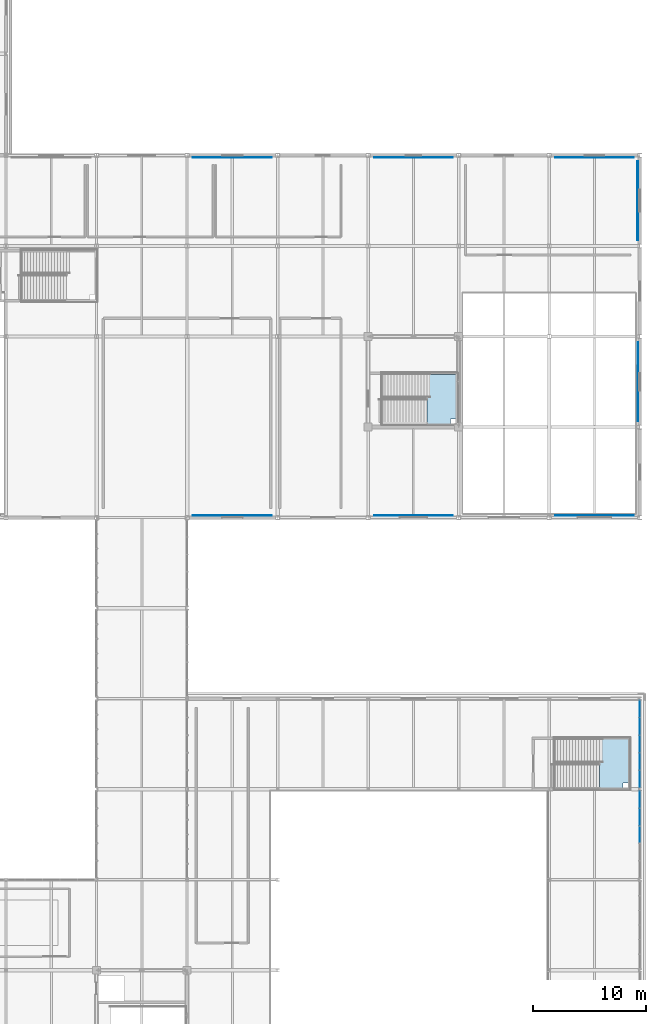
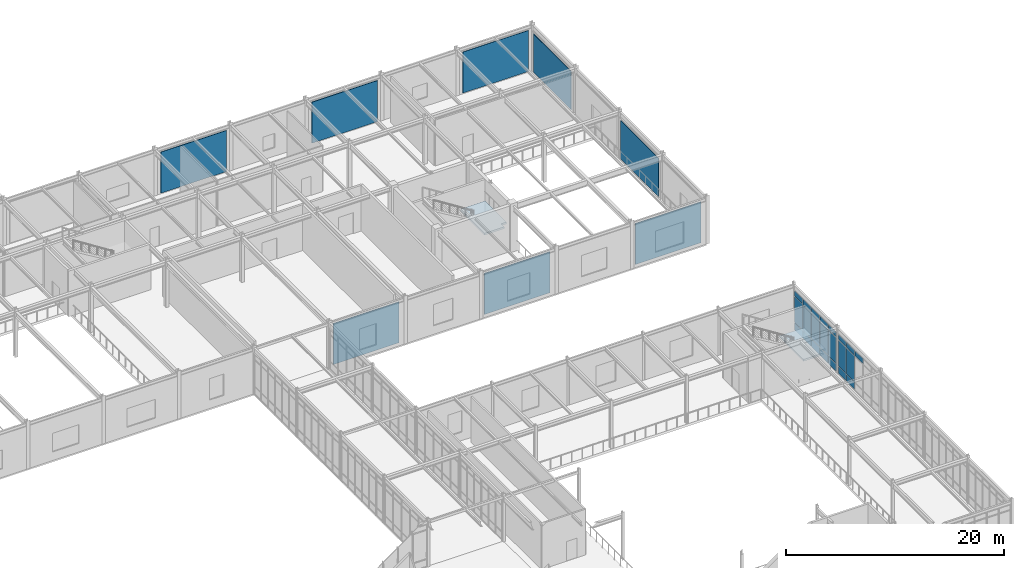
# One storey, part 102 of 184: 30 plates, 2 slabs, 4 elements without a shape of their own.
"""IFC4 building model written with IfcOpenShell, lengths in metres."""

from ifc_helpers import new_model, si_unit, direction, frame, origin, origin_2d, place, context, subcontext, project, spatial, polyline, rectangle, outline, extrude, material, layer, layer_set, type_object, element, aggregate, save


model = new_model("IFC4")

# Units and contexts
model_context = context("Model", 3, precision=1e-05, world=origin(), true_north=direction((0.0, 1.0)))
body_context = subcontext(model_context, "Body", "Model", "MODEL_VIEW")
ifc_project = project(units=[si_unit("LENGTHUNIT", "METRE"), si_unit("AREAUNIT", "SQUARE_METRE"), si_unit("VOLUMEUNIT", "CUBIC_METRE"), si_unit("PLANEANGLEUNIT", "RADIAN"), si_unit("MASSUNIT", "GRAM", prefix="KILO")], contexts=[model_context])

# Site, building, storey
site_placement = place(None, origin())
site = spatial("IfcSite", under=ifc_project, at=site_placement, CompositionType="ELEMENT")
building_placement = place(site_placement, origin())
building = spatial("IfcBuilding", under=site, at=building_placement, Name="Zhaolan Boulevard Law Courts", CompositionType="ELEMENT")
storey_placement = place(building_placement, frame((0.0, 0.0, 5.39990234375)))
storey = spatial("IfcBuildingStorey", under=building, at=storey_placement, Name="L01", CompositionType="ELEMENT", Elevation=5.39990234375)

# Curtain wall, plates
ifc_material_1 = material(Name="Thermally broken aluminium and low-E glazing", Category="aluminium")
curtain_wall_type_1 = type_object("IfcCurtainWallType", Name="CURTAIN WALL M16", PredefinedType="USERDEFINED", material=ifc_material_1)
curtain_wall_1_placement = place(storey_placement, origin())
curtain_wall_1 = element("IfcCurtainWall", 1, at=curtain_wall_1_placement, inside=storey, type_object=curtain_wall_type_1, Name="Curtain Wall CW-L01-064", ObjectType="CURTAIN WALL", PredefinedType="USERDEFINED")
ifc_material_2 = material(Name="Acoustic laminated low-E glazing", Category="glass")
ifc_layer_1 = layer(ifc_material_2, 0.031982421875)
ifc_layer_set_1 = layer_set([ifc_layer_1])
plate_type_1 = type_object("IfcPlateType", Name="CWPANEL LOW E32", PredefinedType="CURTAIN_PANEL", material=ifc_layer_set_1)
plate_1_placement = place(storey_placement, frame((164.0, 34.0, 3.8857421875), z_axis=(0.0, 0.0, 1.0), x_axis=(0.0, 1.0, 0.0)))
plate_1 = element("IfcPlate", 2, at=plate_1_placement, type_object=plate_type_1, Name="CW-L01-064 panel 3.3", PredefinedType="CURTAIN_PANEL", context=body_context, shape_type="SweptSolid", body=[
    extrude(rectangle(XDim=1.484130859375, YDim=0.031982421875, at=origin_2d()), origin(), (0.0, 0.0, 1.0), 0.552490234375),
])
plate_2_placement = place(storey_placement, frame((164.0, 35.54931640625, 0.06494140625), z_axis=(0.0, 0.0, 1.0), x_axis=(0.0, 1.0, 0.0)))
plate_2 = element("IfcPlate", 3, at=plate_2_placement, type_object=plate_type_1, Name="CW-L01-064 panel 4.1", PredefinedType="CURTAIN_PANEL", context=body_context, shape_type="SweptSolid", body=[
    extrude(rectangle(XDim=1.484130859375, YDim=0.031982421875, at=origin_2d()), origin(), (0.0, 0.0, 1.0), 0.802490234375),
])
plate_3_placement = place(storey_placement, frame((164.0, 35.54931640625, 0.9326171875), z_axis=(0.0, 0.0, 1.0), x_axis=(0.0, 1.0, 0.0)))
plate_3 = element("IfcPlate", 4, at=plate_3_placement, type_object=plate_type_1, Name="CW-L01-064 panel 4.2", PredefinedType="CURTAIN_PANEL", context=body_context, shape_type="SweptSolid", body=[
    extrude(rectangle(XDim=1.484130859375, YDim=0.031982421875, at=origin_2d()), origin(), (0.0, 0.0, 1.0), 2.887939453125),
])
plate_4_placement = place(storey_placement, frame((164.0, 35.54931640625, 3.8857421875), z_axis=(0.0, 0.0, 1.0), x_axis=(0.0, 1.0, 0.0)))
plate_4 = element("IfcPlate", 5, at=plate_4_placement, type_object=plate_type_1, Name="CW-L01-064 panel 4.3", PredefinedType="CURTAIN_PANEL", context=body_context, shape_type="SweptSolid", body=[
    extrude(rectangle(XDim=1.484130859375, YDim=0.031982421875, at=origin_2d()), origin(), (0.0, 0.0, 1.0), 0.552490234375),
])
plate_5_placement = place(storey_placement, frame((164.0, 37.08203125, 0.06494140625), z_axis=(0.0, 0.0, 1.0), x_axis=(0.0, 1.0, 0.0)))
plate_5 = element("IfcPlate", 6, at=plate_5_placement, type_object=plate_type_1, Name="CW-L01-064 panel 5.1", PredefinedType="CURTAIN_PANEL", context=body_context, shape_type="SweptSolid", body=[
    extrude(rectangle(XDim=1.45166015625, YDim=0.031982421875, at=origin_2d()), origin(), (0.0, 0.0, 1.0), 0.802490234375),
])
plate_6_placement = place(storey_placement, frame((164.0, 37.08203125, 0.9326171875), z_axis=(0.0, 0.0, 1.0), x_axis=(0.0, 1.0, 0.0)))
plate_6 = element("IfcPlate", 7, at=plate_6_placement, type_object=plate_type_1, Name="CW-L01-064 panel 5.2", PredefinedType="CURTAIN_PANEL", context=body_context, shape_type="SweptSolid", body=[
    extrude(rectangle(XDim=1.45166015625, YDim=0.031982421875, at=origin_2d()), origin(), (0.0, 0.0, 1.0), 2.887939453125),
])
plate_7_placement = place(storey_placement, frame((164.0, 37.08203125, 3.8857421875), z_axis=(0.0, 0.0, 1.0), x_axis=(0.0, 1.0, 0.0)))
plate_7 = element("IfcPlate", 8, at=plate_7_placement, type_object=plate_type_1, Name="CW-L01-064 panel 5.3", PredefinedType="CURTAIN_PANEL", context=body_context, shape_type="SweptSolid", body=[
    extrude(rectangle(XDim=1.45166015625, YDim=0.031982421875, at=origin_2d()), origin(), (0.0, 0.0, 1.0), 0.552490234375),
])
aggregate(curtain_wall_1, [plate_1, plate_2, plate_3, plate_4, plate_5, plate_6, plate_7])

ifc_material_3 = material(Name="Thermally broken aluminium and low-E glazing", Category="aluminium")
curtain_wall_type_2 = type_object("IfcCurtainWallType", Name="CURTAIN WALL M17", PredefinedType="USERDEFINED", material=ifc_material_3)
curtain_wall_2_placement = place(storey_placement, origin())
curtain_wall_2 = element("IfcCurtainWall", 9, at=curtain_wall_2_placement, inside=storey, type_object=curtain_wall_type_2, Name="Curtain Wall CW-L01-065", ObjectType="CURTAIN WALL", PredefinedType="USERDEFINED")
plate_8_placement = place(storey_placement, frame((164.0, 38.91796875, 0.06494140625), z_axis=(0.0, 0.0, 1.0), x_axis=(0.0, 1.0, 0.0)))
plate_8 = element("IfcPlate", 10, at=plate_8_placement, type_object=plate_type_1, Name="CW-L01-065 panel 1.1", PredefinedType="CURTAIN_PANEL", context=body_context, shape_type="SweptSolid", body=[
    extrude(rectangle(XDim=1.45166015625, YDim=0.031982421875, at=origin_2d()), origin(), (0.0, 0.0, 1.0), 0.802490234375),
])
plate_9_placement = place(storey_placement, frame((164.0, 38.91796875, 0.9326171875), z_axis=(0.0, 0.0, 1.0), x_axis=(0.0, 1.0, 0.0)))
plate_9 = element("IfcPlate", 11, at=plate_9_placement, type_object=plate_type_1, Name="CW-L01-065 panel 1.2", PredefinedType="CURTAIN_PANEL", context=body_context, shape_type="SweptSolid", body=[
    extrude(rectangle(XDim=1.45166015625, YDim=0.031982421875, at=origin_2d()), origin(), (0.0, 0.0, 1.0), 2.887939453125),
])
plate_10_placement = place(storey_placement, frame((164.0, 38.91796875, 3.8857421875), z_axis=(0.0, 0.0, 1.0), x_axis=(0.0, 1.0, 0.0)))
plate_10 = element("IfcPlate", 12, at=plate_10_placement, type_object=plate_type_1, Name="CW-L01-065 panel 1.3", PredefinedType="CURTAIN_PANEL", context=body_context, shape_type="SweptSolid", body=[
    extrude(rectangle(XDim=1.45166015625, YDim=0.031982421875, at=origin_2d()), origin(), (0.0, 0.0, 1.0), 0.552490234375),
])
plate_11_placement = place(storey_placement, frame((164.0, 40.45068359375, 0.06494140625), z_axis=(0.0, 0.0, 1.0), x_axis=(0.0, 1.0, 0.0)))
plate_11 = element("IfcPlate", 13, at=plate_11_placement, type_object=plate_type_1, Name="CW-L01-065 panel 2.1", PredefinedType="CURTAIN_PANEL", context=body_context, shape_type="SweptSolid", body=[
    extrude(rectangle(XDim=1.484130859375, YDim=0.031982421875, at=origin_2d()), origin(), (0.0, 0.0, 1.0), 0.802490234375),
])
plate_12_placement = place(storey_placement, frame((164.0, 40.45068359375, 0.9326171875), z_axis=(0.0, 0.0, 1.0), x_axis=(0.0, 1.0, 0.0)))
plate_12 = element("IfcPlate", 14, at=plate_12_placement, type_object=plate_type_1, Name="CW-L01-065 panel 2.2", PredefinedType="CURTAIN_PANEL", context=body_context, shape_type="SweptSolid", body=[
    extrude(rectangle(XDim=1.484130859375, YDim=0.031982421875, at=origin_2d()), origin(), (0.0, 0.0, 1.0), 2.887939453125),
])
plate_13_placement = place(storey_placement, frame((164.0, 40.45068359375, 3.8857421875), z_axis=(0.0, 0.0, 1.0), x_axis=(0.0, 1.0, 0.0)))
plate_13 = element("IfcPlate", 15, at=plate_13_placement, type_object=plate_type_1, Name="CW-L01-065 panel 2.3", PredefinedType="CURTAIN_PANEL", context=body_context, shape_type="SweptSolid", body=[
    extrude(rectangle(XDim=1.484130859375, YDim=0.031982421875, at=origin_2d()), origin(), (0.0, 0.0, 1.0), 0.552490234375),
])
plate_14_placement = place(storey_placement, frame((164.0, 42.0, 0.06494140625), z_axis=(0.0, 0.0, 1.0), x_axis=(0.0, 1.0, 0.0)))
plate_14 = element("IfcPlate", 16, at=plate_14_placement, type_object=plate_type_1, Name="CW-L01-065 panel 3.1", PredefinedType="CURTAIN_PANEL", context=body_context, shape_type="SweptSolid", body=[
    extrude(rectangle(XDim=1.484130859375, YDim=0.031982421875, at=origin_2d()), origin(), (0.0, 0.0, 1.0), 0.802490234375),
])
plate_15_placement = place(storey_placement, frame((164.0, 42.0, 0.9326171875), z_axis=(0.0, 0.0, 1.0), x_axis=(0.0, 1.0, 0.0)))
plate_15 = element("IfcPlate", 17, at=plate_15_placement, type_object=plate_type_1, Name="CW-L01-065 panel 3.2", PredefinedType="CURTAIN_PANEL", context=body_context, shape_type="SweptSolid", body=[
    extrude(rectangle(XDim=1.484130859375, YDim=0.031982421875, at=origin_2d()), origin(), (0.0, 0.0, 1.0), 2.887939453125),
])
plate_16_placement = place(storey_placement, frame((164.0, 42.0, 3.8857421875), z_axis=(0.0, 0.0, 1.0), x_axis=(0.0, 1.0, 0.0)))
plate_16 = element("IfcPlate", 18, at=plate_16_placement, type_object=plate_type_1, Name="CW-L01-065 panel 3.3", PredefinedType="CURTAIN_PANEL", context=body_context, shape_type="SweptSolid", body=[
    extrude(rectangle(XDim=1.484130859375, YDim=0.031982421875, at=origin_2d()), origin(), (0.0, 0.0, 1.0), 0.552490234375),
])
plate_17_placement = place(storey_placement, frame((164.0, 43.54931640625, 0.06494140625), z_axis=(0.0, 0.0, 1.0), x_axis=(0.0, 1.0, 0.0)))
plate_17 = element("IfcPlate", 19, at=plate_17_placement, type_object=plate_type_1, Name="CW-L01-065 panel 4.1", PredefinedType="CURTAIN_PANEL", context=body_context, shape_type="SweptSolid", body=[
    extrude(rectangle(XDim=1.484130859375, YDim=0.031982421875, at=origin_2d()), origin(), (0.0, 0.0, 1.0), 0.802490234375),
])
plate_18_placement = place(storey_placement, frame((164.0, 43.54931640625, 0.9326171875), z_axis=(0.0, 0.0, 1.0), x_axis=(0.0, 1.0, 0.0)))
plate_18 = element("IfcPlate", 20, at=plate_18_placement, type_object=plate_type_1, Name="CW-L01-065 panel 4.2", PredefinedType="CURTAIN_PANEL", context=body_context, shape_type="SweptSolid", body=[
    extrude(rectangle(XDim=1.484130859375, YDim=0.031982421875, at=origin_2d()), origin(), (0.0, 0.0, 1.0), 2.887939453125),
])
plate_19_placement = place(storey_placement, frame((164.0, 43.54931640625, 3.8857421875), z_axis=(0.0, 0.0, 1.0), x_axis=(0.0, 1.0, 0.0)))
plate_19 = element("IfcPlate", 21, at=plate_19_placement, type_object=plate_type_1, Name="CW-L01-065 panel 4.3", PredefinedType="CURTAIN_PANEL", context=body_context, shape_type="SweptSolid", body=[
    extrude(rectangle(XDim=1.484130859375, YDim=0.031982421875, at=origin_2d()), origin(), (0.0, 0.0, 1.0), 0.552490234375),
])
plate_20_placement = place(storey_placement, frame((164.0, 45.08203125, 0.06494140625), z_axis=(0.0, 0.0, 1.0), x_axis=(0.0, 1.0, 0.0)))
plate_20 = element("IfcPlate", 22, at=plate_20_placement, type_object=plate_type_1, Name="CW-L01-065 panel 5.1", PredefinedType="CURTAIN_PANEL", context=body_context, shape_type="SweptSolid", body=[
    extrude(rectangle(XDim=1.45166015625, YDim=0.031982421875, at=origin_2d()), origin(), (0.0, 0.0, 1.0), 0.802490234375),
])
plate_21_placement = place(storey_placement, frame((164.0, 45.08203125, 0.9326171875), z_axis=(0.0, 0.0, 1.0), x_axis=(0.0, 1.0, 0.0)))
plate_21 = element("IfcPlate", 23, at=plate_21_placement, type_object=plate_type_1, Name="CW-L01-065 panel 5.2", PredefinedType="CURTAIN_PANEL", context=body_context, shape_type="SweptSolid", body=[
    extrude(rectangle(XDim=1.45166015625, YDim=0.031982421875, at=origin_2d()), origin(), (0.0, 0.0, 1.0), 2.887939453125),
])
plate_22_placement = place(storey_placement, frame((164.0, 45.08203125, 3.8857421875), z_axis=(0.0, 0.0, 1.0), x_axis=(0.0, 1.0, 0.0)))
plate_22 = element("IfcPlate", 24, at=plate_22_placement, type_object=plate_type_1, Name="CW-L01-065 panel 5.3", PredefinedType="CURTAIN_PANEL", context=body_context, shape_type="SweptSolid", body=[
    extrude(rectangle(XDim=1.45166015625, YDim=0.031982421875, at=origin_2d()), origin(), (0.0, 0.0, 1.0), 0.552490234375),
])
aggregate(curtain_wall_2, [plate_8, plate_9, plate_10, plate_11, plate_12, plate_13, plate_14, plate_15, plate_16, plate_17, plate_18, plate_19, plate_20, plate_21, plate_22])

# Stair, slab
ifc_material_4 = material(Name="Concrete C40", Category="concrete")
stair_type = type_object("IfcStairType", Name="HALF TURN STAIR 54 A", PredefinedType="HALF_TURN_STAIR", material=ifc_material_4)
stair_1_placement = place(storey_placement, origin())
stair_1 = element("IfcStair", 25, at=stair_1_placement, inside=storey, type_object=stair_type, Name="Stair ST07-L01", PredefinedType="HALF_TURN_STAIR")
ifc_material_5 = material(Name="Concrete C40", Category="concrete")
ifc_layer_2 = layer(ifc_material_5, 0.199951171875)
ifc_layer_set_2 = layer_set([ifc_layer_2])
slab_type = type_object("IfcSlabType", Name="STAIR LANDING 200", PredefinedType="LANDING", material=ifc_layer_set_2)
slab_1_placement = place(storey_placement, frame((0.0, 0.0, 2.5)))
slab_1 = element("IfcSlab", 26, at=slab_1_placement, type_object=slab_type, Name="Stair Landing ST07-L01-L1", PredefinedType="LANDING", context=body_context, shape_type="SweptSolid", body=[
    extrude(outline(polyline([(160.43994140625, 38.050048828125), (162.5400390625, 38.050048828125), (162.5400390625, 38.56005859375), (163.050048828125, 38.56005859375), (163.050048828125, 42.449951171875), (160.43994140625, 42.449951171875), (160.43994140625, 38.050048828125)])), origin(), (0.0, 0.0, 1.0), 0.2001953125),
])
aggregate(stair_1, [slab_1])

stair_2_placement = place(storey_placement, origin())
stair_2 = element("IfcStair", 27, at=stair_2_placement, inside=storey, type_object=stair_type, Name="Stair ST09-L01", PredefinedType="HALF_TURN_STAIR")
slab_2_placement = place(storey_placement, frame((0.0, 0.0, 2.5)))
slab_2 = element("IfcSlab", 28, at=slab_2_placement, type_object=slab_type, Name="Stair Landing ST09-L01-L1", PredefinedType="LANDING", context=body_context, shape_type="SweptSolid", body=[
    extrude(outline(polyline([(145.18994140625, 70.169921875), (147.27001953125, 70.169921875), (147.27001953125, 70.72998046875), (147.830078125, 70.72998046875), (147.830078125, 74.639892578125), (145.18994140625, 74.639892578125), (145.18994140625, 70.169921875)])), origin(), (0.0, 0.0, 1.0), 0.2001953125),
])
aggregate(stair_2, [slab_2])

# Plates
ifc_material_6 = material(Name="Pale mist-grey standing-seam Al-Mg-Mn zinc-titanium")
ifc_layer_3 = layer(ifc_material_6, 0.0400390625)
ifc_layer_set_3 = layer_set([ifc_layer_3])
plate_type_2 = type_object("IfcPlateType", Name="STANDING SEAM PLATE 40", PredefinedType="SHEET", material=ifc_layer_set_3)
for number, where, z_axis, x_axis, name in (
    (29, (160.0, 62.169921875, 0.099609375), (0.0, 0.0, 1.0), (1.0, 0.0, 0.0), "Standing-Seam Metal Wall Cladding SSP-L01-216"),
    (30, (160.0, 93.830078125, 0.099609375), (0.0, 0.0, 1.0), (-1.0, 0.0, 0.0), "Standing-Seam Metal Wall Cladding SSP-L01-228"),
):
    element("IfcPlate", number, at=place(storey_placement, frame(where, z_axis=z_axis, x_axis=x_axis)), inside=storey, type_object=plate_type_2, Name=name, PredefinedType="SHEET", context=body_context, shape_type="SweptSolid", body=[
        extrude(rectangle(XDim=6.9599609375, YDim=0.0400390625, at=origin_2d()), origin(), (0.0, 0.0, 1.0), 4.60302734375),
    ])
plate_23_placement = place(storey_placement, frame((163.830078125, 74.0, 0.1005859375), z_axis=(0.0, 0.0, 1.0), x_axis=(0.0, 1.0, 0.0)))
element("IfcPlate", 31, at=plate_23_placement, inside=storey, type_object=plate_type_2, Name="Standing-Seam Metal Wall Cladding SSP-L01-234", PredefinedType="SHEET", context=body_context, shape_type="SweptSolid", body=[
    extrude(rectangle(XDim=6.9599609375, YDim=0.0400390625, at=origin_2d()), origin(), (0.0, 0.0, 1.0), 4.302978515625),
])
ifc_material_7 = material(Name="Pale mist-grey standing-seam Al-Mg-Mn zinc-titanium")
ifc_layer_4 = layer(ifc_material_7, 0.050048828125)
ifc_layer_set_4 = layer_set([ifc_layer_4])
plate_type_3 = type_object("IfcPlateType", Name="STANDING SEAM PLATE 50", PredefinedType="SHEET", material=ifc_layer_set_4)
for number, where, z_axis, x_axis, name in (
    (32, (128.0, 62.175048828125, 0.099609375), (0.0, 0.0, 1.0), (1.0, 0.0, 0.0), "Standing-Seam Metal Wall Cladding SSP-L01-212"),
    (33, (128.0, 93.824951171875, 0.099609375), (0.0, 0.0, 1.0), (-1.0, 0.0, 0.0), "Standing-Seam Metal Wall Cladding SSP-L01-224"),
):
    element("IfcPlate", number, at=place(storey_placement, frame(where, z_axis=z_axis, x_axis=x_axis)), inside=storey, type_object=plate_type_3, Name=name, PredefinedType="SHEET", context=body_context, shape_type="SweptSolid", body=[
        extrude(rectangle(XDim=6.9599609375, YDim=0.050048828125, at=origin_2d()), origin(), (0.0, 0.0, 1.0), 4.60302734375),
    ])
plate_24_placement = place(storey_placement, frame((163.824951171875, 90.0, 0.1005859375), z_axis=(0.0, 0.0, 1.0), x_axis=(0.0, 1.0, 0.0)))
element("IfcPlate", 34, at=plate_24_placement, inside=storey, type_object=plate_type_3, Name="Standing-Seam Metal Wall Cladding SSP-L01-236", PredefinedType="SHEET", context=body_context, shape_type="SweptSolid", body=[
    extrude(rectangle(XDim=6.9599609375, YDim=0.050048828125, at=origin_2d()), origin(), (0.0, 0.0, 1.0), 4.302978515625),
])
ifc_material_8 = material(Name="Pale mist-grey standing-seam Al-Mg-Mn zinc-titanium")
ifc_layer_5 = layer(ifc_material_8, 0.06005859375)
ifc_layer_set_5 = layer_set([ifc_layer_5])
plate_type_4 = type_object("IfcPlateType", Name="STANDING SEAM PLATE 60", PredefinedType="SHEET", material=ifc_layer_set_5)
for number, where, z_axis, x_axis, name in (
    (35, (144.0, 62.179931640625, 0.099609375), (0.0, 0.0, 1.0), (1.0, 0.0, 0.0), "Standing-Seam Metal Wall Cladding SSP-L01-214"),
    (36, (144.0, 93.820068359375, 0.099609375), (0.0, 0.0, 1.0), (-1.0, 0.0, 0.0), "Standing-Seam Metal Wall Cladding SSP-L01-226"),
):
    element("IfcPlate", number, at=place(storey_placement, frame(where, z_axis=z_axis, x_axis=x_axis)), inside=storey, type_object=plate_type_4, Name=name, PredefinedType="SHEET", context=body_context, shape_type="SweptSolid", body=[
        extrude(rectangle(XDim=6.9599609375, YDim=0.06005859375, at=origin_2d()), origin(), (0.0, 0.0, 1.0), 4.60302734375),
    ])

save(model, "model.ifc")
